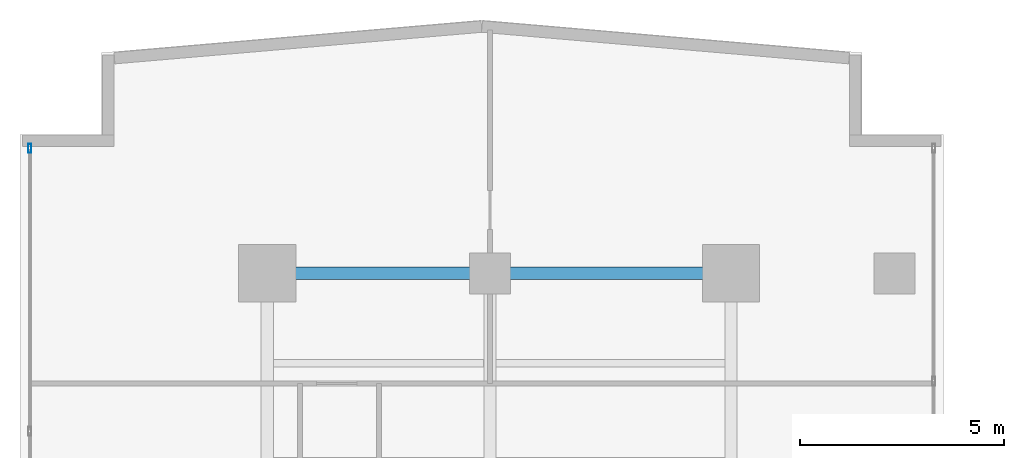
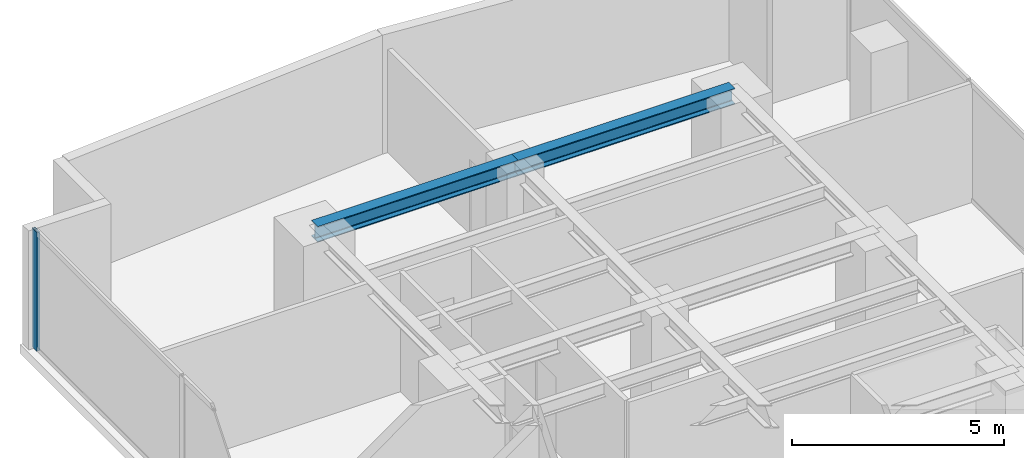
# One storey, part 16 of 25: 2 beams, 1 member, 1 element without a shape of its own.
"""IFC4 building model written with IfcOpenShell, lengths in metres."""

from ifc_helpers import new_model, si_unit, direction, frame, origin, origin_with_axes, origin_2d, place, context, subcontext, project, spatial, hollow_rectangle, i_section, extrude, source, transform, mapped, material, layer, layer_set, material_profile, profile_set, type_object, element, aggregate, save


model = new_model("IFC4")

# Units and contexts
model_context = context("Model", 3, precision=1e-05, world=origin(), true_north=direction((0.0, 1.0)))
body_context = subcontext(model_context, "Body", "Model", "MODEL_VIEW")
ifc_project = project(units=[si_unit("LENGTHUNIT", "METRE"), si_unit("AREAUNIT", "SQUARE_METRE"), si_unit("VOLUMEUNIT", "CUBIC_METRE"), si_unit("PLANEANGLEUNIT", "RADIAN"), si_unit("MASSUNIT", "GRAM", prefix="KILO")], contexts=[model_context])

# Site, building, storey
site_placement = place(None, origin())
site = spatial("IfcSite", under=ifc_project, at=site_placement, CompositionType="ELEMENT")
building_placement = place(site_placement, origin())
building = spatial("IfcBuilding", under=site, at=building_placement, Name="Kolvaren Waterfront Exchange", CompositionType="ELEMENT")
storey_placement = place(building_placement, frame((0.0, 0.0, 137.300048828125)))
storey = spatial("IfcBuildingStorey", under=building, at=storey_placement, Name="L35", CompositionType="ELEMENT", Elevation=137.300048828125)

# Beams
ifc_material_1 = material(Name="Steel S355", Category="steel")
ifc_material_profile_1 = material_profile(ifc_material_1, i_section(OverallWidth=0.300048828125, OverallDepth=0.449951171875, WebThickness=0.013916015625, FlangeThickness=0.02587890625, FilletRadius=0.027099609375, at=origin_2d()), Name="HEB450")
ifc_profile_set_1 = profile_set([ifc_material_profile_1], Name="Steel S355")
beam_type = type_object("IfcBeamType", Name="STR-BM-HEB450", PredefinedType="BEAM", material=ifc_profile_set_1)
beam_1_placement = place(storey_placement, frame((7.449951171875, 44.60009765625, 3.195068359375), z_axis=(1.0, 0.0, 0.0), x_axis=(0.0, 1.0, 0.0)))
element("IfcBeam", 1, at=beam_1_placement, inside=storey, type_object=beam_type, Name="L35 north-arm girder 4A", PredefinedType="BEAM", context=body_context, shape_type="SweptSolid", body=[
    extrude(i_section(OverallWidth=0.300048828125, OverallDepth=0.449951171875, WebThickness=0.013916015625, FlangeThickness=0.02587890625, FilletRadius=0.027099609375, at=origin_2d()), origin(), (0.0, 0.0, 1.0), 5.449951171875),
])
beam_2_placement = place(storey_placement, frame((12.89990234375, 44.60009765625, 3.195068359375), z_axis=(1.0, 0.0, 0.0), x_axis=(0.0, 1.0, 0.0)))
element("IfcBeam", 2, at=beam_2_placement, inside=storey, type_object=beam_type, Name="L35 north-arm girder 4B", PredefinedType="BEAM", context=body_context, shape_type="SweptSolid", body=[
    extrude(i_section(OverallWidth=0.300048828125, OverallDepth=0.449951171875, WebThickness=0.013916015625, FlangeThickness=0.02587890625, FilletRadius=0.027099609375, at=origin_2d()), origin(), (0.0, 0.0, 1.0), 5.900146484375),
])

# Curtain wall, member
ifc_material_2 = material(Name="Anodised aluminium 6063-T6", Category="aluminium")
ifc_layer = layer(ifc_material_2, 0.219970703125, Name="Anodised aluminium 6063-T6")
ifc_layer_set = layer_set([ifc_layer], Name="Anodised aluminium 6063-T6")
curtain_wall_type = type_object("IfcCurtainWallType", Name="ARC-CW-SYS2", PredefinedType="USERDEFINED", material=ifc_layer_set)
curtain_wall_placement = place(storey_placement, origin())
curtain_wall = element("IfcCurtainWall", 3, at=curtain_wall_placement, inside=storey, type_object=curtain_wall_type, Name="L35 stick curtain wall CW2 (CW-L35-W)", ObjectType="STICK CURTAIN WALL", PredefinedType="USERDEFINED")
ifc_material_profile_2 = material_profile(ifc_material_2, hollow_rectangle(XDim=0.080078125, YDim=0.219970703125, WallThickness=0.0048828125, at=origin_2d()), Name="ALU-MUL-220x80x5")
ifc_profile_set_2 = profile_set([ifc_material_profile_2], Name="Anodised aluminium 6063-T6")
member_type = type_object("IfcMemberType", Name="ARC-CWM-220", PredefinedType="MULLION", material=ifc_profile_set_2)
shared_shape = source(origin_with_axes(), body_context, "Body", "SweptSolid", [
    extrude(hollow_rectangle(XDim=0.080078125, YDim=0.219970703125, WallThickness=0.0048828125, at=origin_2d()), origin(), (0.0, 0.0, 1.0), 3.419921875),
])
member_placement = place(storey_placement, frame((1.639892578125, 47.659912109375, 0.0), z_axis=(0.0, 0.0, 1.0), x_axis=(-1.0, 0.0, 0.0)))
member = element("IfcMember", 4, at=member_placement, type_object=member_type, Name="CW2 mullion 7", PredefinedType="MULLION", context=body_context, shape_type="MappedRepresentation", body=[
    mapped(shared_shape, transform((0.0, 0.0, 0.0), x_axis=(1.0, 0.0, 0.0), y_axis=(0.0, 1.0, 0.0), z_axis=(0.0, 0.0, 1.0), scale=1.0)),
])
aggregate(curtain_wall, [member])

save(model, "model.ifc")
